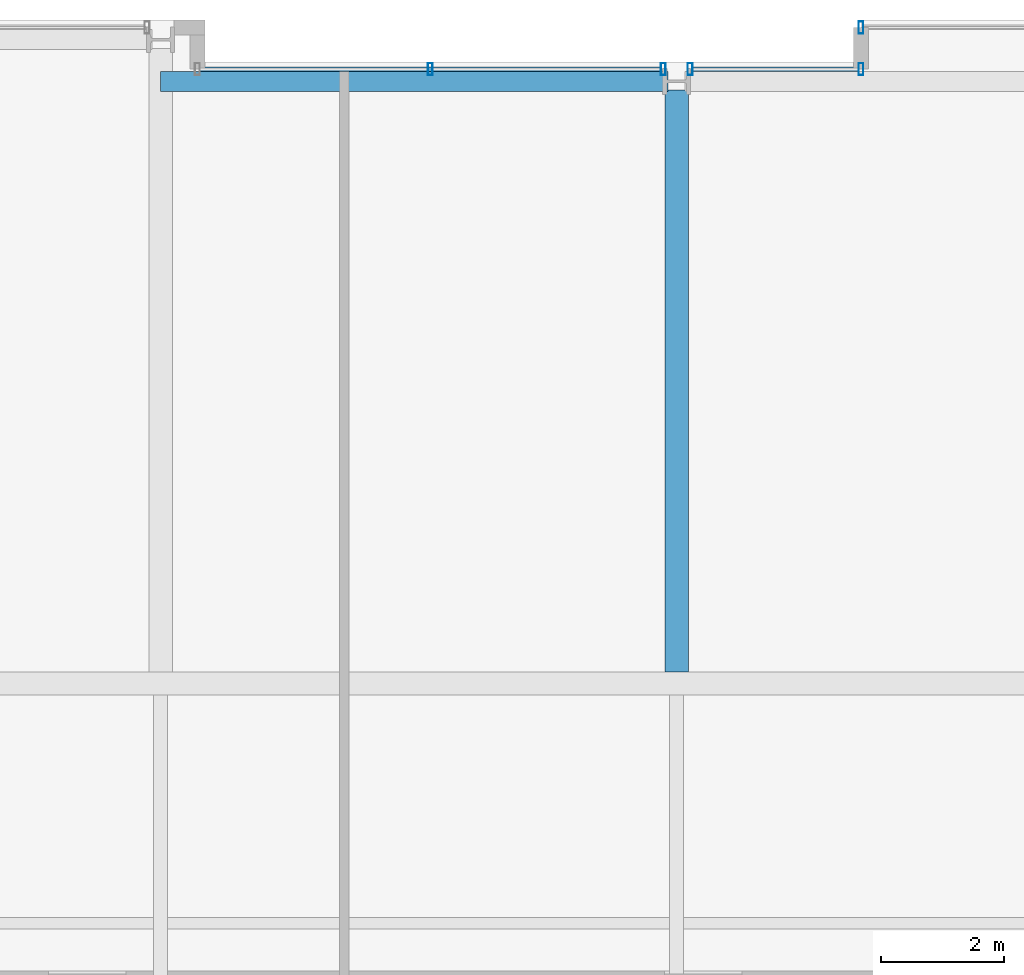
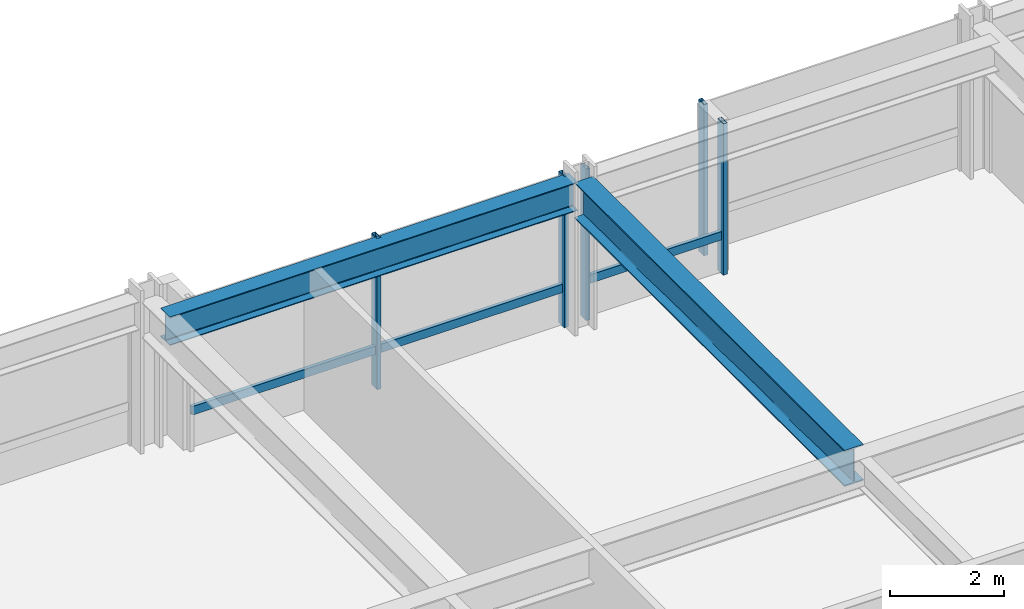
# One storey, part 22 of 34: 7 members, 2 beams, 3 elements without a shape of their own.
"""IFC4 building model written with IfcOpenShell, lengths in metres."""

from ifc_helpers import new_model, si_unit, direction, frame, origin, origin_2d, place, context, subcontext, project, spatial, hollow_rectangle, i_section, extrude, material, layer, layer_set, material_profile, profile_set, type_object, element, aggregate, save


model = new_model("IFC4")

# Units and contexts
model_context = context("Model", 3, precision=1e-05, world=origin(), true_north=direction((0.0, 1.0)))
body_context = subcontext(model_context, "Body", "Model", "MODEL_VIEW")
ifc_project = project(units=[si_unit("LENGTHUNIT", "METRE"), si_unit("AREAUNIT", "SQUARE_METRE"), si_unit("VOLUMEUNIT", "CUBIC_METRE"), si_unit("PLANEANGLEUNIT", "RADIAN"), si_unit("MASSUNIT", "GRAM", prefix="KILO")], contexts=[model_context])

# Site, building, storey
site_placement = place(None, origin())
site = spatial("IfcSite", under=ifc_project, at=site_placement, CompositionType="ELEMENT")
building_placement = place(site_placement, origin())
building = spatial("IfcBuilding", under=site, at=building_placement, Name="Drelvath Grand Hotel", CompositionType="ELEMENT")
storey_placement = place(building_placement, frame((0.0, 0.0, 112.800048828125)))
storey = spatial("IfcBuildingStorey", under=building, at=storey_placement, Name="L28", CompositionType="ELEMENT", Elevation=112.800048828125)

# Curtain wall, member
ifc_material_1 = material(Name="Champagne Bronze Anodised Aluminium Frame", Category="aluminium")
ifc_layer = layer(ifc_material_1, 0.199951171875)
ifc_layer_set = layer_set([ifc_layer], Name="Champagne Bronze Anodised Aluminium Frame")
curtain_wall_type = type_object("IfcCurtainWallType", Name="Stick Curtain Wall CW-03 Champagne Bronze Mid-Rise", PredefinedType="NOTDEFINED", material=ifc_layer_set)
curtain_wall_1_placement = place(storey_placement, origin())
curtain_wall_1 = element("IfcCurtainWall", 1, at=curtain_wall_1_placement, inside=storey, type_object=curtain_wall_type, Name="L28 CW-03 Curtain Wall CW03-L28-NM1", PredefinedType="NOTDEFINED")
ifc_material_profile_1 = material_profile(ifc_material_1, hollow_rectangle(XDim=0.074951171875, YDim=0.179931640625, WallThickness=0.0048828125, at=origin_2d()), Name="HSS180X75X5")
ifc_profile_set_1 = profile_set([ifc_material_profile_1], Name="Champagne Bronze Anodised Aluminium Frame")
member_type_1 = type_object("IfcMemberType", Name="Curtain Wall Horizontal Transom CW-03 HSS180X75X5", PredefinedType="USERDEFINED", material=ifc_profile_set_1)
member_1_placement = place(storey_placement, frame((-7.760009765625, 53.199951171875, 0.81005859375), z_axis=(1.0, 0.0, 0.0), x_axis=(0.0, 1.0, 0.0)))
member_1 = element("IfcMember", 2, at=member_1_placement, type_object=member_type_1, Name="CW03-L28-NM1 Sill Transom", ObjectType="TRANSOM", PredefinedType="USERDEFINED", context=body_context, shape_type="SweptSolid", body=[
    extrude(hollow_rectangle(XDim=0.074951171875, YDim=0.179931640625, WallThickness=0.0048828125, at=origin_2d()), origin(), (0.0, 0.0, 1.0), 7.50048828125),
])

curtain_wall_2_placement = place(storey_placement, origin())
curtain_wall_2 = element("IfcCurtainWall", 3, at=curtain_wall_2_placement, inside=storey, type_object=curtain_wall_type, Name="L28 CW-03 Curtain Wall CW03-L28-NM2", PredefinedType="NOTDEFINED")
member_2_placement = place(storey_placement, frame((0.259521484375, 53.199951171875, 0.81005859375), z_axis=(1.0, 0.0, 0.0), x_axis=(0.0, 1.0, 0.0)))
member_2 = element("IfcMember", 4, at=member_2_placement, type_object=member_type_1, Name="CW03-L28-NM2 Sill Transom", ObjectType="TRANSOM", PredefinedType="USERDEFINED", context=body_context, shape_type="SweptSolid", body=[
    extrude(hollow_rectangle(XDim=0.074951171875, YDim=0.179931640625, WallThickness=0.0048828125, at=origin_2d()), origin(), (0.0, 0.0, 1.0), 2.700439453125),
])

# Member
ifc_material_profile_2 = material_profile(ifc_material_1, hollow_rectangle(XDim=0.080078125, YDim=0.199951171875, WallThickness=0.0048828125, at=origin_2d()), Name="HSS200X80X5")
ifc_profile_set_2 = profile_set([ifc_material_profile_2], Name="Champagne Bronze Anodised Aluminium Frame")
member_type_2 = type_object("IfcMemberType", Name="Curtain Wall Vertical Mullion CW-03 HSS200X80X5", PredefinedType="MULLION", material=ifc_profile_set_2)
member_3_placement = place(storey_placement, frame((-4.009765625, 53.199951171875, 0.0), z_axis=(0.0, 0.0, 1.0), x_axis=(1.0, 0.0, 0.0)))
member_3 = element("IfcMember", 5, at=member_3_placement, type_object=member_type_2, Name="CW03-L28-NM1 Mullion 2", PredefinedType="MULLION", context=body_context, shape_type="SweptSolid", body=[
    extrude(hollow_rectangle(XDim=0.080078125, YDim=0.199951171875, WallThickness=0.0048828125, at=origin_2d()), origin(), (0.0, 0.0, 1.0), 3.239990234375),
])

member_4_placement = place(storey_placement, frame((-0.219482421875, 53.199951171875, 0.0), z_axis=(0.0, 0.0, 1.0), x_axis=(1.0, 0.0, 0.0)))
member_4 = element("IfcMember", 6, at=member_4_placement, type_object=member_type_2, Name="CW03-L28-NM1 Mullion 3", PredefinedType="MULLION", context=body_context, shape_type="SweptSolid", body=[
    extrude(hollow_rectangle(XDim=0.080078125, YDim=0.199951171875, WallThickness=0.0048828125, at=origin_2d()), origin(), (0.0, 0.0, 1.0), 3.239990234375),
])

aggregate(curtain_wall_1, [member_3, member_4, member_1])

member_5_placement = place(storey_placement, frame((0.219482421875, 53.199951171875, 0.0), z_axis=(0.0, 0.0, 1.0), x_axis=(1.0, 0.0, 0.0)))
member_5 = element("IfcMember", 7, at=member_5_placement, type_object=member_type_2, Name="CW03-L28-NM2 Mullion 1", PredefinedType="MULLION", context=body_context, shape_type="SweptSolid", body=[
    extrude(hollow_rectangle(XDim=0.080078125, YDim=0.199951171875, WallThickness=0.0048828125, at=origin_2d()), origin(), (0.0, 0.0, 1.0), 3.239990234375),
])

member_6_placement = place(storey_placement, frame((3.0, 53.199951171875, 0.0), z_axis=(0.0, 0.0, 1.0), x_axis=(1.0, 0.0, 0.0)))
member_6 = element("IfcMember", 8, at=member_6_placement, type_object=member_type_2, Name="CW03-L28-NM2 Mullion 2", PredefinedType="MULLION", context=body_context, shape_type="SweptSolid", body=[
    extrude(hollow_rectangle(XDim=0.080078125, YDim=0.199951171875, WallThickness=0.0048828125, at=origin_2d()), origin(), (0.0, 0.0, 1.0), 3.239990234375),
])

aggregate(curtain_wall_2, [member_5, member_6, member_2])

# Curtain wall, member
curtain_wall_3_placement = place(storey_placement, origin())
curtain_wall_3 = element("IfcCurtainWall", 9, at=curtain_wall_3_placement, inside=storey, type_object=curtain_wall_type, Name="L28 CW-03 Curtain Wall CW03-L28-NE1", PredefinedType="NOTDEFINED")
member_7_placement = place(storey_placement, frame((3.0, 53.8798828125, 0.0), z_axis=(0.0, 0.0, 1.0), x_axis=(1.0, 0.0, 0.0)))
member_7 = element("IfcMember", 10, at=member_7_placement, type_object=member_type_2, Name="CW03-L28-NE1 Mullion 1", PredefinedType="MULLION", context=body_context, shape_type="SweptSolid", body=[
    extrude(hollow_rectangle(XDim=0.080078125, YDim=0.199951171875, WallThickness=0.0048828125, at=origin_2d()), origin(), (0.0, 0.0, 1.0), 3.239990234375),
])
aggregate(curtain_wall_3, [member_7])

# Beams
ifc_material_2 = material(Name="Steel ASTM A992 Gr 50", Category="steel")
ifc_material_profile_3 = material_profile(ifc_material_2, i_section(OverallWidth=0.323974609375, OverallDepth=0.611083984375, WebThickness=0.0126953125, FlangeThickness=0.01904296875, FilletRadius=0.02197265625, at=origin_2d()), Name="W24X104")
ifc_profile_set_3 = profile_set([ifc_material_profile_3], Name="Steel ASTM A992 Gr 50")
beam_type_1 = type_object("IfcBeamType", Name="Perimeter Spandrel Beam W24X104", PredefinedType="SPANDREL", material=ifc_profile_set_3)
beam_1_placement = place(storey_placement, frame((-8.39990234375, 53.0, 2.9345703125), z_axis=(1.0, 0.0, 0.0), x_axis=(0.0, 1.0, 0.0)))
element("IfcBeam", 11, at=beam_1_placement, inside=storey, type_object=beam_type_1, Name="L28 Spandrel North Mid W", PredefinedType="SPANDREL", context=body_context, shape_type="SweptSolid", body=[
    extrude(i_section(OverallWidth=0.323974609375, OverallDepth=0.611083984375, WebThickness=0.0126953125, FlangeThickness=0.01904296875, FilletRadius=0.02197265625, at=origin_2d()), origin(), (0.0, 0.0, 1.0), 8.260009765625),
])
ifc_material_profile_4 = material_profile(ifc_material_2, i_section(OverallWidth=0.380615234375, OverallDepth=0.773193359375, WebThickness=0.0166015625, FlangeThickness=0.027099609375, FilletRadius=0.02490234375, at=origin_2d()), Name="W30X173")
ifc_profile_set_4 = profile_set([ifc_material_profile_4], Name="Steel ASTM A992 Gr 50")
beam_type_2 = type_object("IfcBeamType", Name="Primary Floor Girder W30X173", PredefinedType="BEAM", material=ifc_profile_set_4)
beam_2_placement = place(storey_placement, frame((0.0, 43.390380859375, 2.853271484375), z_axis=(0.0, 1.0, 0.0), x_axis=(-1.0, 0.0, 0.0)))
element("IfcBeam", 12, at=beam_2_placement, inside=storey, type_object=beam_type_2, Name="L28 North Wing Girder 5", PredefinedType="BEAM", context=body_context, shape_type="SweptSolid", body=[
    extrude(i_section(OverallWidth=0.380615234375, OverallDepth=0.773193359375, WebThickness=0.0166015625, FlangeThickness=0.027099609375, FilletRadius=0.02490234375, at=origin_2d()), origin(), (0.0, 0.0, 1.0), 9.4697265625),
])

save(model, "model.ifc")
